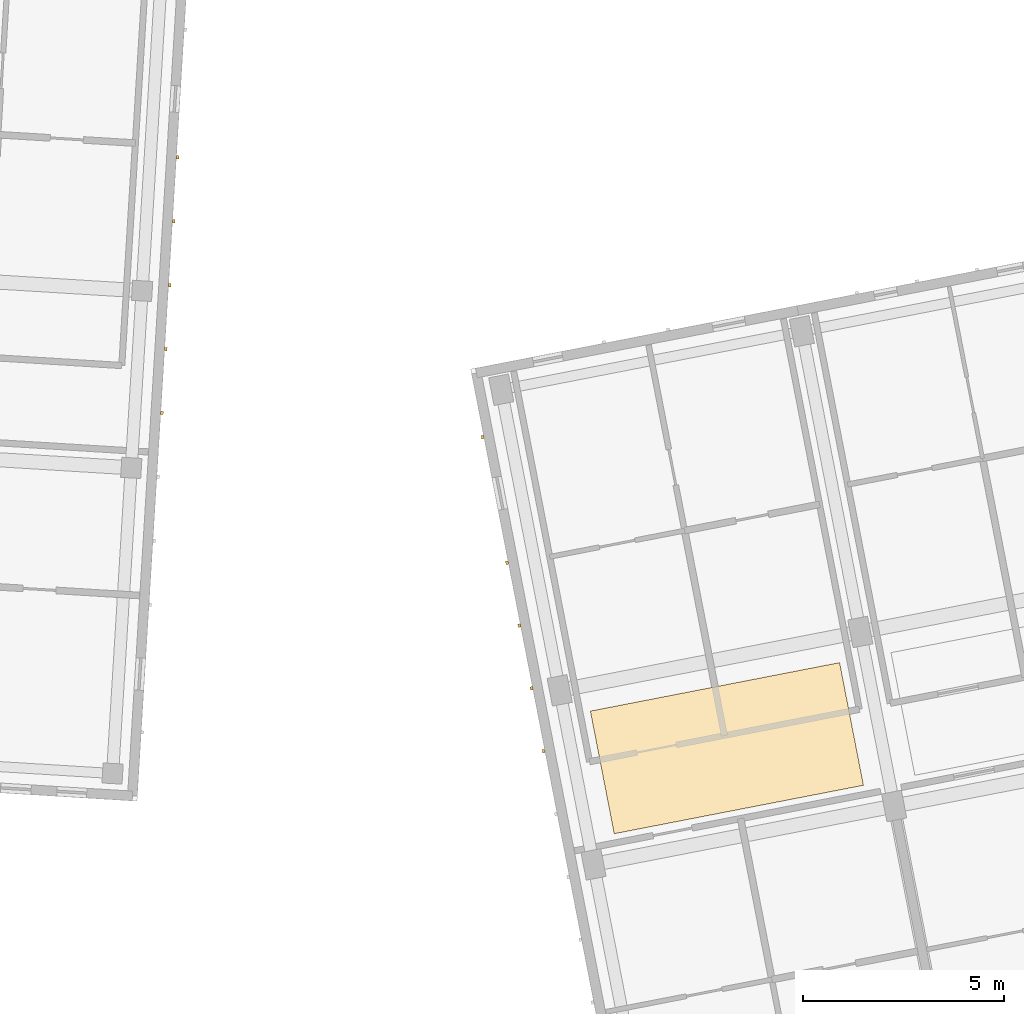
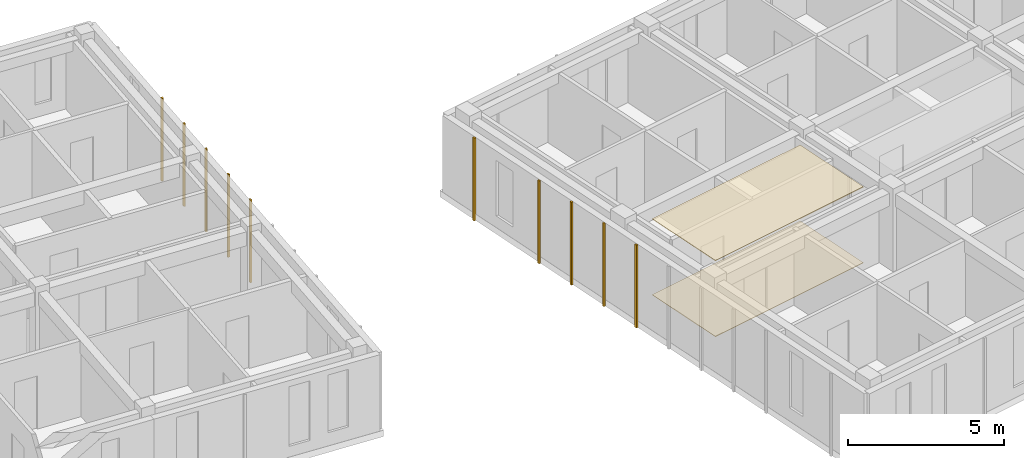
# One storey, part 52 of 74: 12 coverings.
"""IFC4 building model written with IfcOpenShell, lengths in metres."""

from ifc_helpers import new_model, si_unit, direction, frame, origin, origin_2d, place, context, subcontext, project, spatial, polyline, rectangle, outline, extrude, material, layer, layer_set, type_object, element, save


model = new_model("IFC4")

# Units and contexts
model_context = context("Model", 3, precision=1e-05, world=origin(), true_north=direction((0.0, 1.0)))
body_context = subcontext(model_context, "Body", "Model", "MODEL_VIEW")
ifc_project = project(units=[si_unit("LENGTHUNIT", "METRE"), si_unit("AREAUNIT", "SQUARE_METRE"), si_unit("VOLUMEUNIT", "CUBIC_METRE"), si_unit("PLANEANGLEUNIT", "RADIAN"), si_unit("MASSUNIT", "GRAM", prefix="KILO")], contexts=[model_context])

# Site, building, storey
site_placement = place(None, origin())
site = spatial("IfcSite", under=ifc_project, at=site_placement, CompositionType="ELEMENT")
building_placement = place(site_placement, origin())
building = spatial("IfcBuilding", under=site, at=building_placement, Name="Kestramere Prow Commons", CompositionType="ELEMENT")
storey_placement = place(building_placement, frame((0.0, 0.0, 11.64990234375)))
storey = spatial("IfcBuildingStorey", under=building, at=storey_placement, Name="L03", CompositionType="ELEMENT", Elevation=11.64990234375)

# Coverings
ifc_material_1 = material(Name="Mineral Fibre Acoustic Ceiling Tile")
ifc_layer_1 = layer(ifc_material_1, 0.02490234375)
ifc_layer_set_1 = layer_set([ifc_layer_1], Name="Mineral Fibre Acoustic Ceiling Tile")
covering_type_1 = type_object("IfcCoveringType", Name="COV-CEIL-ACOUSTIC", PredefinedType="CEILING", material=ifc_layer_set_1)
covering_1_placement = place(storey_placement, frame((0.0, 0.0, 2.97509765625)))
element("IfcCovering", 1, at=covering_1_placement, inside=storey, type_object=covering_type_1, Name="Block D L03 Corridor Acoustic Ceiling 1", PredefinedType="CEILING", context=body_context, shape_type="SweptSolid", body=[
    extrude(outline(polyline([(117.4638671875, 42.222412109375), (123.648193359375, 43.424560546875), (123.056640625, 46.467529296875), (116.872314453125, 45.265380859375), (117.4638671875, 42.222412109375)])), origin(), (0.0, 0.0, 1.0), 0.02490234375),
])
ifc_material_2 = material(Name="Weathered Zinc-Titanium Standing-Seam Cladding")
ifc_layer_2 = layer(ifc_material_2, 0.074951171875)
ifc_layer_set_2 = layer_set([ifc_layer_2], Name="Weathered Zinc-Titanium Standing-Seam Cladding")
covering_type_2 = type_object("IfcCoveringType", Name="COV-CLAD-SEAM", PredefinedType="CLADDING", material=ifc_layer_set_2)
for number, where, z_axis, x_axis, name in (
    (2, (106.62890625, 59.005859375, -0.25), (0.0, 0.0, 1.0), (-0.061048539535, -0.998134798422, 0.0), "EW-C-L03-EAV Standing-Seam Rib 3"),
    (3, (106.531982421875, 57.42041015625, -0.25), (0.0, 0.0, 1.0), (-0.061048539535, -0.998134798422, 0.0), "EW-C-L03-EAV Standing-Seam Rib 4"),
    (4, (106.434814453125, 55.834716796875, -0.25), (0.0, 0.0, 1.0), (-0.061048539535, -0.998134798422, 0.0), "EW-C-L03-EAV Standing-Seam Rib 5"),
    (5, (106.337890625, 54.249267578125, -0.25), (0.0, 0.0, 1.0), (-0.061048539535, -0.998134798422, 0.0), "EW-C-L03-EAV Standing-Seam Rib 6"),
    (6, (106.240966796875, 52.663818359375, -0.25), (0.0, 0.0, 1.0), (-0.061048539535, -0.998134798422, 0.0), "EW-C-L03-EAV Standing-Seam Rib 7"),
    (7, (115.71337890625, 44.270263671875, -0.25), (0.0, 0.0, 1.0), (-0.190808995377, 0.981627183448, 0.0), "EW-D-L03-EAV Standing-Seam Rib 7"),
    (8, (115.410400390625, 45.82958984375, -0.25), (0.0, 0.0, 1.0), (-0.190808995377, 0.981627183448, 0.0), "EW-D-L03-EAV Standing-Seam Rib 8"),
    (9, (115.107177734375, 47.388916015625, -0.25), (0.0, 0.0, 1.0), (-0.190808995377, 0.981627183448, 0.0), "EW-D-L03-EAV Standing-Seam Rib 9"),
    (10, (114.80419921875, 48.9482421875, -0.25), (0.0, 0.0, 1.0), (-0.190808995377, 0.981627183448, 0.0), "EW-D-L03-EAV Standing-Seam Rib 10"),
    (11, (114.197998046875, 52.066650390625, -0.25), (0.0, 0.0, 1.0), (-0.190808995377, 0.981627183448, 0.0), "EW-D-L03-EAV Standing-Seam Rib 12"),
):
    element("IfcCovering", number, at=place(storey_placement, frame(where, z_axis=z_axis, x_axis=x_axis)), inside=storey, type_object=covering_type_2, Name=name, PredefinedType="CLADDING", context=body_context, shape_type="SweptSolid", body=[
        extrude(rectangle(XDim=0.0849609375, YDim=0.06494140625, at=origin_2d()), origin(), (0.0, 0.0, 1.0), 3.25),
    ])
ifc_material_3 = material(Name="Honed Cementitious Terrazzo Tile")
ifc_layer_3 = layer(ifc_material_3, 0.02001953125)
ifc_layer_set_3 = layer_set([ifc_layer_3], Name="Honed Cementitious Terrazzo Tile")
covering_type_3 = type_object("IfcCoveringType", Name="COV-FLOOR-TERRAZZO", PredefinedType="FLOORING", material=ifc_layer_set_3)
covering_2_placement = place(storey_placement, origin())
element("IfcCovering", 12, at=covering_2_placement, inside=storey, type_object=covering_type_3, Name="Block D L03 Corridor Terrazzo Flooring 1", PredefinedType="FLOORING", context=body_context, shape_type="SweptSolid", body=[
    extrude(outline(polyline([(117.4638671875, 42.222412109375), (123.648193359375, 43.424560546875), (123.056640625, 46.467529296875), (116.872314453125, 45.265380859375), (117.4638671875, 42.222412109375)])), origin(), (0.0, 0.0, 1.0), 0.02001953125),
])

save(model, "model.ifc")
